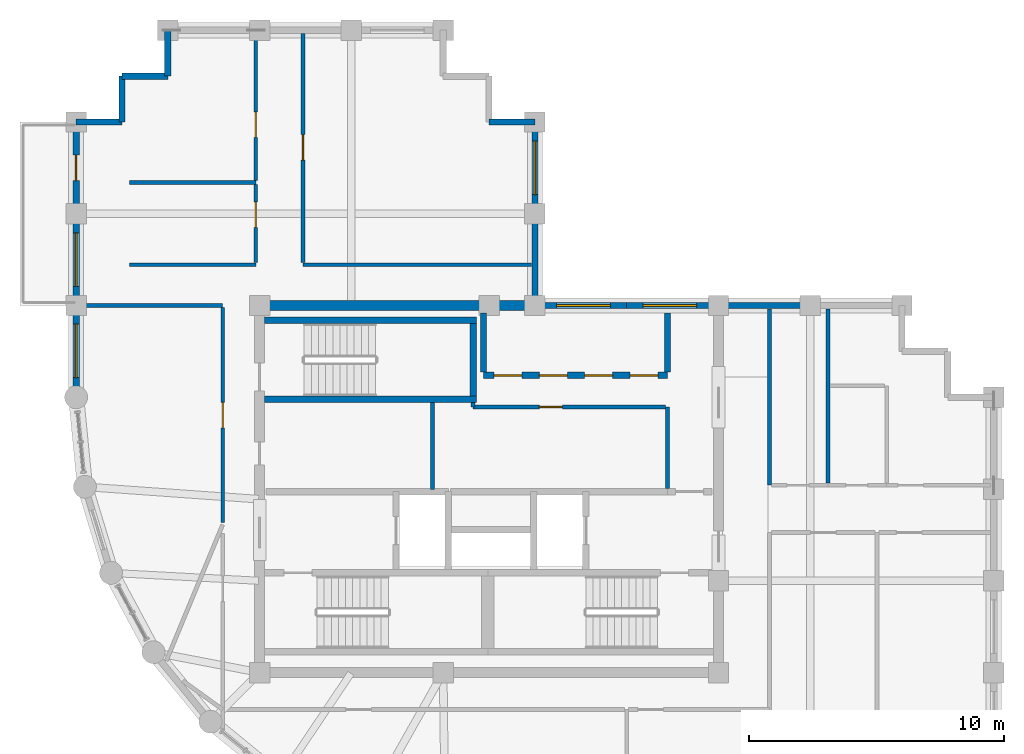
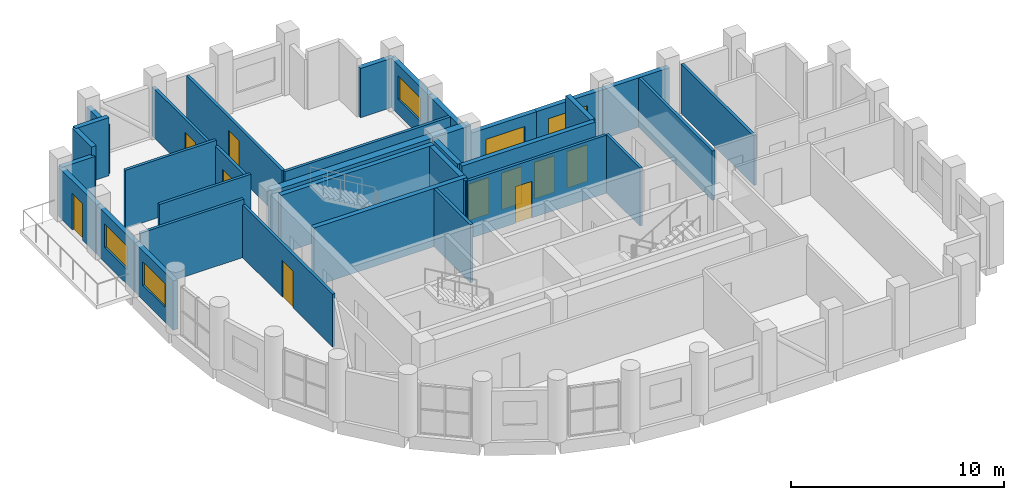
# One storey, part 9 of 11: 34 walls, 10 doors, 5 windows, 15 openings.
"""IFC4 building model written with IfcOpenShell, lengths in metres."""

from ifc_helpers import new_model, si_unit, direction, frame, frame_2d, origin, place, context, subcontext, project, spatial, rectangle, extrude, material, layer, layer_set, type_object, element, fill, save


model = new_model("IFC4")

# Units and contexts
model_context = context("Model", 3, precision=1e-05, world=origin(), true_north=direction((0.0, 1.0)))
body_context = subcontext(model_context, "Body", "Model", "MODEL_VIEW")
ifc_project = project(units=[si_unit("LENGTHUNIT", "METRE"), si_unit("AREAUNIT", "SQUARE_METRE"), si_unit("VOLUMEUNIT", "CUBIC_METRE"), si_unit("PLANEANGLEUNIT", "RADIAN"), si_unit("MASSUNIT", "GRAM", prefix="KILO")], contexts=[model_context])

# Site, building, storey
site_placement = place(None, origin())
site = spatial("IfcSite", under=ifc_project, at=site_placement, CompositionType="ELEMENT")
building_placement = place(site_placement, origin())
building = spatial("IfcBuilding", under=site, at=building_placement, Name="Solnavia Interchange Tower", CompositionType="ELEMENT")
storey_placement = place(building_placement, frame((0.0, 0.0, 263.0)))
storey = spatial("IfcBuildingStorey", under=building, at=storey_placement, Name="L66", CompositionType="ELEMENT", Elevation=263.0)

# Wall
ifc_material_1 = material(Name="Concrete C40/50", Category="concrete")
ifc_layer_1 = layer(ifc_material_1, 0.25)
ifc_layer_set_1 = layer_set([ifc_layer_1], Name="Concrete C40/50")
wall_type_1 = type_object("IfcWallType", Name="Wall-ExtSpandrel-250", PredefinedType="STANDARD", material=ifc_layer_set_1)
wall_1_placement = place(storey_placement, frame((32.39990234375, 25.199951171875, 0.0), z_axis=(0.0, 0.0, 1.0), x_axis=(1.0, 0.0, 0.0)))
element("IfcWall", 1, at=wall_1_placement, inside=storey, type_object=wall_type_1, Name="EXW-L66-18 Exterior precast spandrel wall", PredefinedType="STANDARD", context=body_context, shape_type="SweptSolid", body=[
    extrude(rectangle(XDim=3.60009765625, YDim=0.25, at=frame_2d((1.800048828125, 0.0))), origin(), (0.0, 0.0, 1.0), 2.830078125),
])

# Wall, opening, window
wall_2_placement = place(storey_placement, frame((28.800048828125, 25.199951171875, 0.0), z_axis=(0.0, 0.0, 1.0), x_axis=(1.0, 0.0, 0.0)))
wall_2 = element("IfcWall", 2, at=wall_2_placement, inside=storey, type_object=wall_type_1, Name="EXW-L66-19 Exterior precast spandrel wall", PredefinedType="STANDARD", context=body_context, shape_type="SweptSolid", body=[
    extrude(rectangle(XDim=3.599853515625, YDim=0.25, at=frame_2d((1.7998046875, 0.0))), origin(), (0.0, 0.0, 1.0), 2.830078125),
])
opening_1_placement = place(wall_2_placement, frame((0.64501953125, 0.0, 0.85009765625)))
opening_1 = element("IfcOpeningElement", 3, at=opening_1_placement, cuts=wall_2, Name="Opening WIN-01", PredefinedType="OPENING", context=body_context, shape_type="SweptSolid", body=[
    extrude(rectangle(XDim=2.10009765625, YDim=1.35009765625, at=frame_2d((1.050048828125, 0.675048828125))), frame((0.0, 0.135009765625, 0.0), z_axis=(0.0, -1.0, 0.0), x_axis=(1.0, 0.0, 0.0)), (0.0, 0.0, 1.0), 0.27001953125),
])
ifc_material_2 = material(Name="Thermal-Break Aluminium & Low-E Glass", Category="aluminium")
window_type = type_object("IfcWindowType", Name="Window-Ribbon-2100x1350", PartitioningType="SINGLE_PANEL", PredefinedType="WINDOW", material=ifc_material_2)
window_1_placement = place(opening_1_placement, origin())
window_1 = element("IfcWindow", 4, at=window_1_placement, inside=storey, type_object=window_type, Name="WIN-L66-19 Facade ribbon window", OverallHeight=1.35009765625, OverallWidth=2.10009765625, PartitioningType="SINGLE_PANEL", PredefinedType="WINDOW", context=body_context, shape_type="SweptSolid", body=[
    extrude(rectangle(XDim=2.10009765625, YDim=1.35009765625, at=frame_2d((1.050048828125, 0.675048828125))), frame((0.0, 0.030029296875, 0.0), z_axis=(0.0, -1.0, 0.0), x_axis=(1.0, 0.0, 0.0)), (0.0, 0.0, 1.0), 0.06005859375),
])
fill(opening_1, window_1)

wall_3_placement = place(storey_placement, frame((25.199951171875, 25.199951171875, 0.0), z_axis=(0.0, 0.0, 1.0), x_axis=(1.0, 0.0, 0.0)))
wall_3 = element("IfcWall", 5, at=wall_3_placement, inside=storey, type_object=wall_type_1, Name="EXW-L66-20 Exterior precast spandrel wall", PredefinedType="STANDARD", context=body_context, shape_type="SweptSolid", body=[
    extrude(rectangle(XDim=3.60009765625, YDim=0.25, at=frame_2d((1.800048828125, 0.0))), origin(), (0.0, 0.0, 1.0), 2.830078125),
])
opening_2_placement = place(wall_3_placement, frame((0.85498046875, 0.0, 0.85009765625)))
opening_2 = element("IfcOpeningElement", 6, at=opening_2_placement, cuts=wall_3, Name="Opening WIN-01", PredefinedType="OPENING", context=body_context, shape_type="SweptSolid", body=[
    extrude(rectangle(XDim=2.10009765625, YDim=1.35009765625, at=frame_2d((1.050048828125, 0.675048828125))), frame((0.0, 0.135009765625, 0.0), z_axis=(0.0, -1.0, 0.0), x_axis=(1.0, 0.0, 0.0)), (0.0, 0.0, 1.0), 0.27001953125),
])
window_2_placement = place(opening_2_placement, origin())
window_2 = element("IfcWindow", 7, at=window_2_placement, inside=storey, type_object=window_type, Name="WIN-L66-20 Facade ribbon window", OverallHeight=1.35009765625, OverallWidth=2.10009765625, PartitioningType="SINGLE_PANEL", PredefinedType="WINDOW", context=body_context, shape_type="SweptSolid", body=[
    extrude(rectangle(XDim=2.10009765625, YDim=1.35009765625, at=frame_2d((1.050048828125, 0.675048828125))), frame((0.0, 0.030029296875, 0.0), z_axis=(0.0, -1.0, 0.0), x_axis=(1.0, 0.0, 0.0)), (0.0, 0.0, 1.0), 0.06005859375),
])
fill(opening_2, window_2)

# Wall
wall_4_placement = place(storey_placement, frame((25.199951171875, 28.800048828125, 0.0), z_axis=(0.0, 0.0, 1.0), x_axis=(0.0, -1.0, 0.0)))
element("IfcWall", 8, at=wall_4_placement, inside=storey, type_object=wall_type_1, Name="EXW-L66-21 Exterior precast spandrel wall", PredefinedType="STANDARD", context=body_context, shape_type="SweptSolid", body=[
    extrude(rectangle(XDim=3.60009765625, YDim=0.25, at=frame_2d((1.800048828125, 0.0))), origin(), (0.0, 0.0, 1.0), 2.830078125),
])

# Wall, opening, window
wall_5_placement = place(storey_placement, frame((25.199951171875, 32.39990234375, 0.0), z_axis=(0.0, 0.0, 1.0), x_axis=(0.0, -1.0, 0.0)))
wall_5 = element("IfcWall", 9, at=wall_5_placement, inside=storey, type_object=wall_type_1, Name="EXW-L66-22 Exterior precast spandrel wall", PredefinedType="STANDARD", context=body_context, shape_type="SweptSolid", body=[
    extrude(rectangle(XDim=3.599853515625, YDim=0.25, at=frame_2d((1.7998046875, 0.0))), origin(), (0.0, 0.0, 1.0), 2.830078125),
])
opening_3_placement = place(wall_5_placement, frame((0.75, 0.0, 0.85009765625)))
opening_3 = element("IfcOpeningElement", 10, at=opening_3_placement, cuts=wall_5, Name="Opening WIN-01", PredefinedType="OPENING", context=body_context, shape_type="SweptSolid", body=[
    extrude(rectangle(XDim=2.10009765625, YDim=1.35009765625, at=frame_2d((1.050048828125, 0.675048828125))), frame((0.0, 0.135009765625, 0.0), z_axis=(0.0, -1.0, 0.0), x_axis=(1.0, 0.0, 0.0)), (0.0, 0.0, 1.0), 0.27001953125),
])
window_3_placement = place(opening_3_placement, origin())
window_3 = element("IfcWindow", 11, at=window_3_placement, inside=storey, type_object=window_type, Name="WIN-L66-22 Facade ribbon window", OverallHeight=1.35009765625, OverallWidth=2.10009765625, PartitioningType="SINGLE_PANEL", PredefinedType="WINDOW", context=body_context, shape_type="SweptSolid", body=[
    extrude(rectangle(XDim=2.10009765625, YDim=1.35009765625, at=frame_2d((1.050048828125, 0.675048828125))), frame((0.0, 0.030029296875, 0.0), z_axis=(0.0, -1.0, 0.0), x_axis=(1.0, 0.0, 0.0)), (0.0, 0.0, 1.0), 0.06005859375),
])
fill(opening_3, window_3)

# Walls
for number, where, z_axis, x_axis, name in (
    (12, (23.39990234375, 32.39990234375, 0.0), (0.0, 0.0, 1.0), (1.0, 0.0, 0.0), "EXW-L66-23 Exterior precast spandrel wall"),
    (13, (10.800048828125, 34.199951171875, 0.0), (0.0, 0.0, 1.0), (0.0, 1.0, 0.0), "EXW-L66-30 Exterior precast spandrel wall"),
):
    element("IfcWall", number, at=place(storey_placement, frame(where, z_axis=z_axis, x_axis=x_axis)), inside=storey, type_object=wall_type_1, Name=name, PredefinedType="STANDARD", context=body_context, shape_type="SweptSolid", body=[
        extrude(rectangle(XDim=1.800048828125, YDim=0.25, at=frame_2d((0.89990234375, 0.0))), origin(), (0.0, 0.0, 1.0), 2.830078125),
    ])
for number, where, z_axis, x_axis, name in (
    (14, (9.0, 34.199951171875, 0.0), (0.0, 0.0, 1.0), (1.0, 0.0, 0.0), "EXW-L66-31 Exterior precast spandrel wall"),
    (15, (9.0, 32.39990234375, 0.0), (0.0, 0.0, 1.0), (0.0, 1.0, 0.0), "EXW-L66-32 Exterior precast spandrel wall"),
):
    element("IfcWall", number, at=place(storey_placement, frame(where, z_axis=z_axis, x_axis=x_axis)), inside=storey, type_object=wall_type_1, Name=name, PredefinedType="STANDARD", context=body_context, shape_type="SweptSolid", body=[
        extrude(rectangle(XDim=1.800048828125, YDim=0.25, at=frame_2d((0.89990234375, 0.0))), origin(), (0.0, 0.0, 1.0), 3.3349609375),
    ])
wall_6_placement = place(storey_placement, frame((7.199951171875, 32.39990234375, 0.0), z_axis=(0.0, 0.0, 1.0), x_axis=(1.0, 0.0, 0.0)))
element("IfcWall", 16, at=wall_6_placement, inside=storey, type_object=wall_type_1, Name="EXW-L66-33 Exterior precast spandrel wall", PredefinedType="STANDARD", context=body_context, shape_type="SweptSolid", body=[
    extrude(rectangle(XDim=1.800048828125, YDim=0.25, at=frame_2d((0.89990234375, 0.0))), origin(), (0.0, 0.0, 1.0), 2.830078125),
])

# Wall, opening, door
wall_7_placement = place(storey_placement, frame((7.199951171875, 28.800048828125, 0.0), z_axis=(0.0, 0.0, 1.0), x_axis=(0.0, 1.0, 0.0)))
wall_7 = element("IfcWall", 17, at=wall_7_placement, inside=storey, type_object=wall_type_1, Name="EXW-L66-34 Exterior precast spandrel wall", PredefinedType="STANDARD", context=body_context, shape_type="SweptSolid", body=[
    extrude(rectangle(XDim=3.599853515625, YDim=0.25, at=frame_2d((1.7998046875, 0.0))), origin(), (0.0, 0.0, 1.0), 2.830078125),
])
opening_4_placement = place(wall_7_placement, frame((1.300048828125, 0.0, 0.0)))
opening_4 = element("IfcOpeningElement", 18, at=opening_4_placement, cuts=wall_7, Name="Opening EXD-05", PredefinedType="OPENING", context=body_context, shape_type="SweptSolid", body=[
    extrude(rectangle(XDim=1.0, YDim=2.10009765625, at=frame_2d((0.5, 1.050048828125))), frame((0.0, 0.135009765625, 0.0), z_axis=(0.0, -1.0, 0.0), x_axis=(1.0, 0.0, 0.0)), (0.0, 0.0, 1.0), 0.27001953125),
])
ifc_material_3 = material(Name="Thermally Broken Aluminium & Laminated Glass", Category="aluminium")
door_type_1 = type_object("IfcDoorType", Name="Door-TerraceSingle-1000x2100", OperationType="SINGLE_SWING_LEFT", PredefinedType="DOOR", material=ifc_material_3)
door_1_placement = place(opening_4_placement, origin())
door_1 = element("IfcDoor", 19, at=door_1_placement, inside=storey, type_object=door_type_1, Name="EXD-L66-TER Spiral terrace glazed door", OperationType="SINGLE_SWING_LEFT", OverallHeight=2.10009765625, OverallWidth=1.0, PredefinedType="DOOR", context=body_context, shape_type="SweptSolid", body=[
    extrude(rectangle(XDim=1.0, YDim=2.10009765625, at=frame_2d((0.5, 1.050048828125))), frame((0.0, 0.02490234375, 0.0), z_axis=(0.0, -1.0, 0.0), x_axis=(1.0, 0.0, 0.0)), (0.0, 0.0, 1.0), 0.050048828125),
])
fill(opening_4, door_1)

# Wall, opening, window
wall_8_placement = place(storey_placement, frame((7.199951171875, 25.199951171875, 0.0), z_axis=(0.0, 0.0, 1.0), x_axis=(0.0, 1.0, 0.0)))
wall_8 = element("IfcWall", 20, at=wall_8_placement, inside=storey, type_object=wall_type_1, Name="EXW-L66-35 Exterior precast spandrel wall", PredefinedType="STANDARD", context=body_context, shape_type="SweptSolid", body=[
    extrude(rectangle(XDim=3.60009765625, YDim=0.25, at=frame_2d((1.800048828125, 0.0))), origin(), (0.0, 0.0, 1.0), 2.830078125),
])
opening_5_placement = place(wall_8_placement, frame((0.75, 0.0, 0.85009765625)))
opening_5 = element("IfcOpeningElement", 21, at=opening_5_placement, cuts=wall_8, Name="Opening WIN-01", PredefinedType="OPENING", context=body_context, shape_type="SweptSolid", body=[
    extrude(rectangle(XDim=2.10009765625, YDim=1.35009765625, at=frame_2d((1.050048828125, 0.675048828125))), frame((0.0, 0.135009765625, 0.0), z_axis=(0.0, -1.0, 0.0), x_axis=(1.0, 0.0, 0.0)), (0.0, 0.0, 1.0), 0.27001953125),
])
window_4_placement = place(opening_5_placement, origin())
window_4 = element("IfcWindow", 22, at=window_4_placement, inside=storey, type_object=window_type, Name="WIN-L66-35 Facade ribbon window", OverallHeight=1.35009765625, OverallWidth=2.10009765625, PartitioningType="SINGLE_PANEL", PredefinedType="WINDOW", context=body_context, shape_type="SweptSolid", body=[
    extrude(rectangle(XDim=2.10009765625, YDim=1.35009765625, at=frame_2d((1.050048828125, 0.675048828125))), frame((0.0, 0.030029296875, 0.0), z_axis=(0.0, -1.0, 0.0), x_axis=(1.0, 0.0, 0.0)), (0.0, 0.0, 1.0), 0.06005859375),
])
fill(opening_5, window_4)

wall_9_placement = place(storey_placement, frame((7.199951171875, 21.60009765625, 0.0), z_axis=(0.0, 0.0, 1.0), x_axis=(0.0, 1.0, 0.0)))
wall_9 = element("IfcWall", 23, at=wall_9_placement, inside=storey, type_object=wall_type_1, Name="EXW-L66-36 Exterior precast spandrel wall", PredefinedType="STANDARD", context=body_context, shape_type="SweptSolid", body=[
    extrude(rectangle(XDim=3.599853515625, YDim=0.25, at=frame_2d((1.7998046875, 0.0))), origin(), (0.0, 0.0, 1.0), 2.830078125),
])
opening_6_placement = place(wall_9_placement, frame((0.77490234375, 0.0, 0.85009765625)))
opening_6 = element("IfcOpeningElement", 24, at=opening_6_placement, cuts=wall_9, Name="Opening WIN-01", PredefinedType="OPENING", context=body_context, shape_type="SweptSolid", body=[
    extrude(rectangle(XDim=2.10009765625, YDim=1.35009765625, at=frame_2d((1.050048828125, 0.675048828125))), frame((0.0, 0.135009765625, 0.0), z_axis=(0.0, -1.0, 0.0), x_axis=(1.0, 0.0, 0.0)), (0.0, 0.0, 1.0), 0.27001953125),
])
window_5_placement = place(opening_6_placement, origin())
window_5 = element("IfcWindow", 25, at=window_5_placement, inside=storey, type_object=window_type, Name="WIN-L66-36 Facade ribbon window", OverallHeight=1.35009765625, OverallWidth=2.10009765625, PartitioningType="SINGLE_PANEL", PredefinedType="WINDOW", context=body_context, shape_type="SweptSolid", body=[
    extrude(rectangle(XDim=2.10009765625, YDim=1.35009765625, at=frame_2d((1.050048828125, 0.675048828125))), frame((0.0, 0.030029296875, 0.0), z_axis=(0.0, -1.0, 0.0), x_axis=(1.0, 0.0, 0.0)), (0.0, 0.0, 1.0), 0.06005859375),
])
fill(opening_6, window_5)

# Wall, opening, door
ifc_material_4 = material(Name="Gypsum Plasterboard & Steel Stud", Category="steel")
ifc_layer_2 = layer(ifc_material_4, 0.14990234375)
ifc_layer_set_2 = layer_set([ifc_layer_2], Name="Gypsum Plasterboard & Steel Stud")
wall_type_2 = type_object("IfcWallType", Name="Wall-Partition-150", PredefinedType="PARTITIONING", material=ifc_layer_set_2)
wall_10_placement = place(storey_placement, frame((22.77490234375, 21.219970703125, 0.0), z_axis=(0.0, 0.0, 1.0), x_axis=(1.0, 0.0, 0.0)))
wall_10 = element("IfcWall", 26, at=wall_10_placement, inside=storey, type_object=wall_type_2, Name="CSW-L66-N-ALL Core shaft wall", PredefinedType="PARTITIONING", context=body_context, shape_type="SweptSolid", body=[
    extrude(rectangle(XDim=7.545166015625, YDim=0.14990234375, at=frame_2d((3.7724609375, 0.0))), origin(), (0.0, 0.0, 1.0), 3.3349609375),
])
opening_7_placement = place(wall_10_placement, frame((2.60009765625, 0.0, 0.0)))
opening_7 = element("IfcOpeningElement", 27, at=opening_7_placement, cuts=wall_10, Name="Opening DR-09", PredefinedType="OPENING", context=body_context, shape_type="SweptSolid", body=[
    extrude(rectangle(XDim=0.89990234375, YDim=2.10009765625, at=frame_2d((0.449951171875, 1.050048828125))), frame((0.0, 0.0849609375, 0.0), z_axis=(0.0, -1.0, 0.0), x_axis=(1.0, 0.0, 0.0)), (0.0, 0.0, 1.0), 0.169921875),
])
ifc_material_5 = material(Name="Engineered Oak Veneer Door", Category="wood")
door_type_2 = type_object("IfcDoorType", Name="Door-Internal-900x2100", OperationType="SINGLE_SWING_LEFT", PredefinedType="DOOR", material=ifc_material_5)
door_2_placement = place(opening_7_placement, origin())
door_2 = element("IfcDoor", 28, at=door_2_placement, inside=storey, type_object=door_type_2, Name="DR-L66-CS2 Core fire door", OperationType="SINGLE_SWING_RIGHT", OverallHeight=2.10009765625, OverallWidth=0.89990234375, PredefinedType="DOOR", context=body_context, shape_type="SweptSolid", body=[
    extrude(rectangle(XDim=0.89990234375, YDim=2.10009765625, at=frame_2d((0.449951171875, 1.050048828125))), frame((0.0, 0.02490234375, 0.0), z_axis=(0.0, -1.0, 0.0), x_axis=(1.0, 0.0, 0.0)), (0.0, 0.0, 1.0), 0.050048828125),
])
fill(opening_7, door_2)

# Walls
wall_11_placement = place(storey_placement, frame((22.77490234375, 21.219970703125, 0.0), z_axis=(0.0, 0.0, 1.0), x_axis=(0.0, 1.0, 0.0)))
element("IfcWall", 29, at=wall_11_placement, inside=storey, type_object=wall_type_2, Name="CSW-L66-ST-TIE Core shaft wall", PredefinedType="PARTITIONING", context=body_context, shape_type="SweptSolid", body=[
    extrude(rectangle(XDim=0.175048828125, YDim=0.14990234375, at=frame_2d((0.08740234375, 0.0))), origin(), (0.0, 0.0, 1.0), 3.3349609375),
])
wall_12_placement = place(storey_placement, frame((30.39990234375, 18.02001953125, 0.0), z_axis=(0.0, 0.0, 1.0), x_axis=(0.0, 1.0, 0.0)))
element("IfcWall", 30, at=wall_12_placement, inside=storey, type_object=wall_type_2, Name="CSW-L66-E-E Core shaft wall", PredefinedType="PARTITIONING", context=body_context, shape_type="SweptSolid", body=[
    extrude(rectangle(XDim=3.199951171875, YDim=0.14990234375, at=frame_2d((1.60009765625, 0.0))), origin(), (0.0, 0.0, 1.0), 3.3349609375),
])
wall_13_placement = place(storey_placement, frame((21.179931640625, 17.97998046875, 0.0), z_axis=(0.0, 0.0, 1.0), x_axis=(0.0, 1.0, 0.0)))
element("IfcWall", 31, at=wall_13_placement, inside=storey, type_object=wall_type_2, Name="CSW-L66-M0 Core shaft wall", PredefinedType="PARTITIONING", context=body_context, shape_type="SweptSolid", body=[
    extrude(rectangle(XDim=3.419921875, YDim=0.14990234375, at=frame_2d((1.7099609375, 0.0))), origin(), (0.0, 0.0, 1.0), 3.3349609375),
])
wall_14_placement = place(storey_placement, frame((7.3291015625, 25.199951171875, 0.0), z_axis=(0.0, 0.0, 1.0), x_axis=(1.0, 0.0, 0.0)))
element("IfcWall", 32, at=wall_14_placement, inside=storey, type_object=wall_type_2, Name="PTW-L66-07 Interior partition wall", PredefinedType="PARTITIONING", context=body_context, shape_type="SweptSolid", body=[
    extrude(rectangle(XDim=5.620849609375, YDim=0.14990234375, at=frame_2d((2.810546875, 0.0))), origin(), (0.0, 0.0, 1.0), 3.3349609375),
])

# Wall, opening, door
wall_15_placement = place(storey_placement, frame((12.949951171875, 16.678955078125, 0.0), z_axis=(0.0, 0.0, 1.0), x_axis=(0.0, 1.0, 0.0)))
wall_15 = element("IfcWall", 33, at=wall_15_placement, inside=storey, type_object=wall_type_2, Name="PTW-L66-11 Interior partition wall", PredefinedType="PARTITIONING", context=body_context, shape_type="SweptSolid", body=[
    extrude(rectangle(XDim=8.442138671875, YDim=0.14990234375, at=frame_2d((4.22119140625, 0.0))), origin(), (0.0, 0.0, 1.0), 3.02001953125),
])
opening_8_placement = place(wall_15_placement, frame((3.720947265625, 0.0, 0.0)))
opening_8 = element("IfcOpeningElement", 34, at=opening_8_placement, cuts=wall_15, Name="Opening DR-07", PredefinedType="OPENING", context=body_context, shape_type="SweptSolid", body=[
    extrude(rectangle(XDim=1.0, YDim=2.10009765625, at=frame_2d((0.5, 1.050048828125))), frame((0.0, 0.0849609375, 0.0), z_axis=(0.0, -1.0, 0.0), x_axis=(1.0, 0.0, 0.0)), (0.0, 0.0, 1.0), 0.169921875),
])
ifc_material_6 = material(Name="Timber & Acoustic Glazed Office Door", Category="wood")
door_type_3 = type_object("IfcDoorType", Name="Door-Office-1000x2100", OperationType="SINGLE_SWING_RIGHT", PredefinedType="DOOR", material=ifc_material_6)
door_3_placement = place(opening_8_placement, origin())
door_3 = element("IfcDoor", 35, at=door_3_placement, inside=storey, type_object=door_type_3, Name="DR-L66-03 Interior room door", OperationType="SINGLE_SWING_LEFT", OverallHeight=2.10009765625, OverallWidth=1.0, PredefinedType="DOOR", context=body_context, shape_type="SweptSolid", body=[
    extrude(rectangle(XDim=1.0, YDim=2.10009765625, at=frame_2d((0.5, 1.050048828125))), frame((0.0, 0.02490234375, 0.0), z_axis=(0.0, -1.0, 0.0), x_axis=(1.0, 0.0, 0.0)), (0.0, 0.0, 1.0), 0.050048828125),
])
fill(opening_8, door_3)

# Walls
for number, where, z_axis, x_axis, name in (
    (36, (9.300048828125, 26.800048828125, 0.0), (0.0, 0.0, 1.0), (1.0, 0.0, 0.0), "PTW-L66-20 Interior partition wall"),
    (37, (9.300048828125, 30.02001953125, 0.0), (0.0, 0.0, 1.0), (1.0, 0.0, 0.0), "PTW-L66-21 Interior partition wall"),
):
    element("IfcWall", number, at=place(storey_placement, frame(where, z_axis=z_axis, x_axis=x_axis)), inside=storey, type_object=wall_type_2, Name=name, PredefinedType="PARTITIONING", context=body_context, shape_type="SweptSolid", body=[
        extrude(rectangle(XDim=4.949951171875, YDim=0.14990234375, at=frame_2d((2.47509765625, 0.0))), origin(), (0.0, 0.0, 1.0), 3.3349609375),
    ])

# Wall, opening, door
wall_16_placement = place(storey_placement, frame((14.25, 26.87890625, 0.0), z_axis=(0.0, 0.0, 1.0), x_axis=(0.0, 1.0, 0.0)))
wall_16 = element("IfcWall", 38, at=wall_16_placement, inside=storey, type_object=wall_type_2, Name="PTW-L66-22 Interior partition wall", PredefinedType="PARTITIONING", context=body_context, shape_type="SweptSolid", body=[
    extrude(rectangle(XDim=3.06201171875, YDim=0.14990234375, at=frame_2d((1.531005859375, 0.0))), origin(), (0.0, 0.0, 1.0), 3.030029296875),
])
opening_9_placement = place(wall_16_placement, frame((1.385986328125, 0.0, 0.0)))
opening_9 = element("IfcOpeningElement", 39, at=opening_9_placement, cuts=wall_16, Name="Opening DR-07", PredefinedType="OPENING", context=body_context, shape_type="SweptSolid", body=[
    extrude(rectangle(XDim=1.0, YDim=2.10009765625, at=frame_2d((0.5, 1.050048828125))), frame((0.0, 0.0849609375, 0.0), z_axis=(0.0, -1.0, 0.0), x_axis=(1.0, 0.0, 0.0)), (0.0, 0.0, 1.0), 0.169921875),
])
door_4_placement = place(opening_9_placement, origin())
door_4 = element("IfcDoor", 40, at=door_4_placement, inside=storey, type_object=door_type_3, Name="DR-L66-10 Interior room door", OperationType="SINGLE_SWING_RIGHT", OverallHeight=2.10009765625, OverallWidth=1.0, PredefinedType="DOOR", context=body_context, shape_type="SweptSolid", body=[
    extrude(rectangle(XDim=1.0, YDim=2.10009765625, at=frame_2d((0.5, 1.050048828125))), frame((0.0, 0.02490234375, 0.0), z_axis=(0.0, -1.0, 0.0), x_axis=(1.0, 0.0, 0.0)), (0.0, 0.0, 1.0), 0.050048828125),
])
fill(opening_9, door_4)

wall_17_placement = place(storey_placement, frame((14.25, 30.09912109375, 0.0), z_axis=(0.0, 0.0, 1.0), x_axis=(0.0, 1.0, 0.0)))
wall_17 = element("IfcWall", 41, at=wall_17_placement, inside=storey, type_object=wall_type_2, Name="PTW-L66-23 Interior partition wall", PredefinedType="PARTITIONING", context=body_context, shape_type="SweptSolid", body=[
    extrude(rectangle(XDim=5.77197265625, YDim=0.14990234375, at=frame_2d((2.885986328125, 0.0))), origin(), (0.0, 0.0, 1.0), 2.830078125),
])
opening_10_placement = place(wall_17_placement, frame((1.700927734375, 0.0, 0.0)))
opening_10 = element("IfcOpeningElement", 42, at=opening_10_placement, cuts=wall_17, Name="Opening DR-07", PredefinedType="OPENING", context=body_context, shape_type="SweptSolid", body=[
    extrude(rectangle(XDim=1.0, YDim=2.10009765625, at=frame_2d((0.5, 1.050048828125))), frame((0.0, 0.0849609375, 0.0), z_axis=(0.0, -1.0, 0.0), x_axis=(1.0, 0.0, 0.0)), (0.0, 0.0, 1.0), 0.169921875),
])
door_5_placement = place(opening_10_placement, origin())
door_5 = element("IfcDoor", 43, at=door_5_placement, inside=storey, type_object=door_type_3, Name="DR-L66-11 Interior room door", OperationType="SINGLE_SWING_RIGHT", OverallHeight=2.10009765625, OverallWidth=1.0, PredefinedType="DOOR", context=body_context, shape_type="SweptSolid", body=[
    extrude(rectangle(XDim=1.0, YDim=2.10009765625, at=frame_2d((0.5, 1.050048828125))), frame((0.0, 0.02490234375, 0.0), z_axis=(0.0, -1.0, 0.0), x_axis=(1.0, 0.0, 0.0)), (0.0, 0.0, 1.0), 0.050048828125),
])
fill(opening_10, door_5)

# Wall
wall_18_placement = place(storey_placement, frame((16.10009765625, 26.800048828125, 0.0), z_axis=(0.0, 0.0, 1.0), x_axis=(1.0, 0.0, 0.0)))
element("IfcWall", 44, at=wall_18_placement, inside=storey, type_object=wall_type_2, Name="PTW-L66-24 Interior partition wall", PredefinedType="PARTITIONING", context=body_context, shape_type="SweptSolid", body=[
    extrude(rectangle(XDim=8.970947265625, YDim=0.14990234375, at=frame_2d((4.4853515625, 0.0))), origin(), (0.0, 0.0, 1.0), 2.830078125),
])

# Wall, opening, door
wall_19_placement = place(storey_placement, frame((16.10009765625, 26.87890625, 0.0), z_axis=(0.0, 0.0, 1.0), x_axis=(0.0, 1.0, 0.0)))
wall_19 = element("IfcWall", 45, at=wall_19_placement, inside=storey, type_object=wall_type_2, Name="PTW-L66-25 Interior partition wall", PredefinedType="PARTITIONING", context=body_context, shape_type="SweptSolid", body=[
    extrude(rectangle(XDim=8.9921875, YDim=0.14990234375, at=frame_2d((4.49609375, 0.0))), origin(), (0.0, 0.0, 1.0), 2.830078125),
])
opening_11_placement = place(wall_19_placement, frame((4.02099609375, 0.0, 0.0)))
opening_11 = element("IfcOpeningElement", 46, at=opening_11_placement, cuts=wall_19, Name="Opening DR-07", PredefinedType="OPENING", context=body_context, shape_type="SweptSolid", body=[
    extrude(rectangle(XDim=1.0, YDim=2.10009765625, at=frame_2d((0.5, 1.050048828125))), frame((0.0, 0.0849609375, 0.0), z_axis=(0.0, -1.0, 0.0), x_axis=(1.0, 0.0, 0.0)), (0.0, 0.0, 1.0), 0.169921875),
])
door_6_placement = place(opening_11_placement, origin())
door_6 = element("IfcDoor", 47, at=door_6_placement, inside=storey, type_object=door_type_3, Name="DR-L66-12 Interior room door", OperationType="SINGLE_SWING_LEFT", OverallHeight=2.10009765625, OverallWidth=1.0, PredefinedType="DOOR", context=body_context, shape_type="SweptSolid", body=[
    extrude(rectangle(XDim=1.0, YDim=2.10009765625, at=frame_2d((0.5, 1.050048828125))), frame((0.0, 0.02490234375, 0.0), z_axis=(0.0, -1.0, 0.0), x_axis=(1.0, 0.0, 0.0)), (0.0, 0.0, 1.0), 0.050048828125),
])
fill(opening_11, door_6)

# Walls
ifc_layer_3 = layer(ifc_material_1, 0.25)
ifc_layer_set_3 = layer_set([ifc_layer_3], Name="Concrete C40/50")
wall_type_3 = type_object("IfcWallType", Name="Wall-ShaftCore-250", PredefinedType="SHEAR", material=ifc_layer_set_3)
for number, where, z_axis, x_axis, name in (
    (48, (14.60009765625, 21.52490234375, 0.0), (0.0, 0.0, 1.0), (1.0, 0.0, 0.0), "SHW-L66-ST3S Core shear wall"),
    (49, (14.60009765625, 24.614990234375, 0.0), (0.0, 0.0, 1.0), (1.0, 0.0, 0.0), "SHW-L66-ST3N Core shear wall"),
):
    element("IfcWall", number, at=place(storey_placement, frame(where, z_axis=z_axis, x_axis=x_axis)), inside=storey, type_object=wall_type_3, Name=name, PredefinedType="SHEAR", context=body_context, shape_type="SweptSolid", body=[
        extrude(rectangle(XDim=8.2998046875, YDim=0.25, at=frame_2d((4.14990234375, 0.0))), origin(), (0.0, 0.0, 1.0), 3.35009765625),
    ])
wall_20_placement = place(storey_placement, frame((22.77490234375, 21.64990234375, 0.0), z_axis=(0.0, 0.0, 1.0), x_axis=(0.0, 1.0, 0.0)))
element("IfcWall", 50, at=wall_20_placement, inside=storey, type_object=wall_type_3, Name="SHW-L66-ST3E Core shear wall", PredefinedType="SHEAR", context=body_context, shape_type="SweptSolid", body=[
    extrude(rectangle(XDim=2.840087890625, YDim=0.25, at=frame_2d((1.419921875, 0.0))), origin(), (0.0, 0.0, 1.0), 3.35009765625),
])

# Wall, openings, doors
ifc_layer_4 = layer(ifc_material_1, 0.25)
ifc_layer_set_4 = layer_set([ifc_layer_4], Name="Concrete C40/50")
wall_type_4 = type_object("IfcWallType", Name="Wall-ShaftPart-250", PredefinedType="PARTITIONING", material=ifc_layer_set_4)
wall_21_placement = place(storey_placement, frame((23.179931640625, 22.4599609375, 0.0), z_axis=(0.0, 0.0, 1.0), x_axis=(1.0, 0.0, 0.0)))
wall_21 = element("IfcWall", 51, at=wall_21_placement, inside=storey, type_object=wall_type_4, Name="SHW-L66-B3S Core shaft wall", PredefinedType="PARTITIONING", context=body_context, shape_type="SweptSolid", body=[
    extrude(rectangle(XDim=7.219970703125, YDim=0.25, at=frame_2d((3.60986328125, 0.0))), origin(), (0.0, 0.0, 1.0), 3.3349609375),
])
opening_12_placement = place(wall_21_placement, frame((0.409912109375, 0.0, 0.0)))
opening_12 = element("IfcOpeningElement", 52, at=opening_12_placement, cuts=wall_21, Name="Opening LD-01", PredefinedType="OPENING", context=body_context, shape_type="SweptSolid", body=[
    extrude(rectangle(XDim=1.10009765625, YDim=2.10009765625, at=frame_2d((0.550048828125, 1.050048828125))), frame((0.0, 0.135009765625, 0.0), z_axis=(0.0, -1.0, 0.0), x_axis=(1.0, 0.0, 0.0)), (0.0, 0.0, 1.0), 0.27001953125),
])
opening_13_placement = place(wall_21_placement, frame((2.18994140625, 0.0, 0.0)))
opening_13 = element("IfcOpeningElement", 53, at=opening_13_placement, cuts=wall_21, Name="Opening LD-01", PredefinedType="OPENING", context=body_context, shape_type="SweptSolid", body=[
    extrude(rectangle(XDim=1.10009765625, YDim=2.10009765625, at=frame_2d((0.550048828125, 1.050048828125))), frame((0.0, 0.135009765625, 0.0), z_axis=(0.0, -1.0, 0.0), x_axis=(1.0, 0.0, 0.0)), (0.0, 0.0, 1.0), 0.27001953125),
])
opening_14_placement = place(wall_21_placement, frame((3.969970703125, 0.0, 0.0)))
opening_14 = element("IfcOpeningElement", 54, at=opening_14_placement, cuts=wall_21, Name="Opening LD-01", PredefinedType="OPENING", context=body_context, shape_type="SweptSolid", body=[
    extrude(rectangle(XDim=1.10009765625, YDim=2.10009765625, at=frame_2d((0.550048828125, 1.050048828125))), frame((0.0, 0.135009765625, 0.0), z_axis=(0.0, -1.0, 0.0), x_axis=(1.0, 0.0, 0.0)), (0.0, 0.0, 1.0), 0.27001953125),
])
opening_15_placement = place(wall_21_placement, frame((5.75, 0.0, 0.0)))
opening_15 = element("IfcOpeningElement", 55, at=opening_15_placement, cuts=wall_21, Name="Opening LD-01", PredefinedType="OPENING", context=body_context, shape_type="SweptSolid", body=[
    extrude(rectangle(XDim=1.10009765625, YDim=2.10009765625, at=frame_2d((0.550048828125, 1.050048828125))), frame((0.0, 0.135009765625, 0.0), z_axis=(0.0, -1.0, 0.0), x_axis=(1.0, 0.0, 0.0)), (0.0, 0.0, 1.0), 0.27001953125),
])
ifc_material_7 = material(Name="Brushed Stainless Steel Sliding Door", Category="steel")
door_type_4 = type_object("IfcDoorType", Name="Door-LiftLanding-1100x2100", OperationType="SLIDING_TO_LEFT", PredefinedType="DOOR", material=ifc_material_7)
door_7_placement = place(opening_12_placement, origin())
door_7 = element("IfcDoor", 56, at=door_7_placement, inside=storey, type_object=door_type_4, Name="LD-L66-B3-1 Lift landing sliding door", OperationType="SLIDING_TO_LEFT", OverallHeight=2.10009765625, OverallWidth=1.10009765625, PredefinedType="DOOR", context=body_context, shape_type="SweptSolid", body=[
    extrude(rectangle(XDim=1.10009765625, YDim=2.10009765625, at=frame_2d((0.550048828125, 1.050048828125))), frame((0.0, 0.02490234375, 0.0), z_axis=(0.0, -1.0, 0.0), x_axis=(1.0, 0.0, 0.0)), (0.0, 0.0, 1.0), 0.050048828125),
])
fill(opening_12, door_7)
door_8_placement = place(opening_13_placement, origin())
door_8 = element("IfcDoor", 57, at=door_8_placement, inside=storey, type_object=door_type_4, Name="LD-L66-B3-2 Lift landing sliding door", OperationType="SLIDING_TO_LEFT", OverallHeight=2.10009765625, OverallWidth=1.10009765625, PredefinedType="DOOR", context=body_context, shape_type="SweptSolid", body=[
    extrude(rectangle(XDim=1.10009765625, YDim=2.10009765625, at=frame_2d((0.550048828125, 1.050048828125))), frame((0.0, 0.02490234375, 0.0), z_axis=(0.0, -1.0, 0.0), x_axis=(1.0, 0.0, 0.0)), (0.0, 0.0, 1.0), 0.050048828125),
])
fill(opening_13, door_8)
door_9_placement = place(opening_14_placement, origin())
door_9 = element("IfcDoor", 58, at=door_9_placement, inside=storey, type_object=door_type_4, Name="LD-L66-B3-3 Lift landing sliding door", OperationType="SLIDING_TO_LEFT", OverallHeight=2.10009765625, OverallWidth=1.10009765625, PredefinedType="DOOR", context=body_context, shape_type="SweptSolid", body=[
    extrude(rectangle(XDim=1.10009765625, YDim=2.10009765625, at=frame_2d((0.550048828125, 1.050048828125))), frame((0.0, 0.02490234375, 0.0), z_axis=(0.0, -1.0, 0.0), x_axis=(1.0, 0.0, 0.0)), (0.0, 0.0, 1.0), 0.050048828125),
])
fill(opening_14, door_9)
door_10_placement = place(opening_15_placement, origin())
door_10 = element("IfcDoor", 59, at=door_10_placement, inside=storey, type_object=door_type_4, Name="LD-L66-B3-4 Lift landing sliding door", OperationType="SLIDING_TO_LEFT", OverallHeight=2.10009765625, OverallWidth=1.10009765625, PredefinedType="DOOR", context=body_context, shape_type="SweptSolid", body=[
    extrude(rectangle(XDim=1.10009765625, YDim=2.10009765625, at=frame_2d((0.550048828125, 1.050048828125))), frame((0.0, 0.02490234375, 0.0), z_axis=(0.0, -1.0, 0.0), x_axis=(1.0, 0.0, 0.0)), (0.0, 0.0, 1.0), 0.050048828125),
])
fill(opening_15, door_10)

# Walls
for number, where, z_axis, x_axis, name in (
    (60, (23.179931640625, 22.5849609375, 0.0), (0.0, 0.0, 1.0), (0.0, 1.0, 0.0), "SHW-L66-B3W Core shaft wall"),
    (61, (30.39990234375, 22.5849609375, 0.0), (0.0, 0.0, 1.0), (0.0, 1.0, 0.0), "SHW-L66-B3E Core shaft wall"),
):
    element("IfcWall", number, at=place(storey_placement, frame(where, z_axis=z_axis, x_axis=x_axis)), inside=storey, type_object=wall_type_4, Name=name, PredefinedType="PARTITIONING", context=body_context, shape_type="SweptSolid", body=[
        extrude(rectangle(XDim=2.31494140625, YDim=0.25, at=frame_2d((1.157470703125, 0.0))), origin(), (0.0, 0.0, 1.0), 3.3349609375),
    ])
ifc_material_8 = material(Name="Concrete C50/60", Category="concrete")
ifc_layer_5 = layer(ifc_material_8, 0.39990234375)
ifc_layer_set_5 = layer_set([ifc_layer_5], Name="Concrete C50/60")
wall_type_5 = type_object("IfcWallType", Name="Wall-ShearCore-400", PredefinedType="SHEAR", material=ifc_layer_set_5)
wall_22_placement = place(storey_placement, frame((14.39990234375, 25.199951171875, 0.0), z_axis=(0.0, 0.0, 1.0), x_axis=(1.0, 0.0, 0.0)))
element("IfcWall", 62, at=wall_22_placement, inside=storey, type_object=wall_type_5, Name="CRW-L66-N Core shear wall", PredefinedType="SHEAR", context=body_context, shape_type="SweptSolid", body=[
    extrude(rectangle(XDim=10.800048828125, YDim=0.39990234375, at=frame_2d((5.39990234375, 0.0))), origin(), (0.0, 0.0, 1.0), 3.35009765625),
])
ifc_material_9 = material(Name="Moisture-Resistant Gypsum & Steel Stud", Category="steel")
ifc_layer_6 = layer(ifc_material_9, 0.14990234375)
ifc_layer_set_6 = layer_set([ifc_layer_6], Name="Moisture-Resistant Gypsum & Steel Stud")
wall_type_6 = type_object("IfcWallType", Name="Wall-WetRoom-150", PredefinedType="PARTITIONING", material=ifc_layer_set_6)
wall_23_placement = place(storey_placement, frame((34.39990234375, 18.14990234375, 0.0), z_axis=(0.0, 0.0, 1.0), x_axis=(0.0, 1.0, 0.0)))
element("IfcWall", 63, at=wall_23_placement, inside=storey, type_object=wall_type_6, Name="PTW-L66-01 Interior partition wall", PredefinedType="PARTITIONING", context=body_context, shape_type="SweptSolid", body=[
    extrude(rectangle(XDim=6.921142578125, YDim=0.14990234375, at=frame_2d((3.46044921875, 0.0))), origin(), (0.0, 0.0, 1.0), 2.830078125),
])
wall_24_placement = place(storey_placement, frame((36.699951171875, 18.22900390625, 0.0), z_axis=(0.0, 0.0, 1.0), x_axis=(0.0, 1.0, 0.0)))
element("IfcWall", 64, at=wall_24_placement, inside=storey, type_object=wall_type_6, Name="PTW-L66-03 Interior partition wall", PredefinedType="PARTITIONING", context=body_context, shape_type="SweptSolid", body=[
    extrude(rectangle(XDim=6.842041015625, YDim=0.14990234375, at=frame_2d((3.4208984375, 0.0))), origin(), (0.0, 0.0, 1.0), 2.830078125),
])

save(model, "model.ifc")
